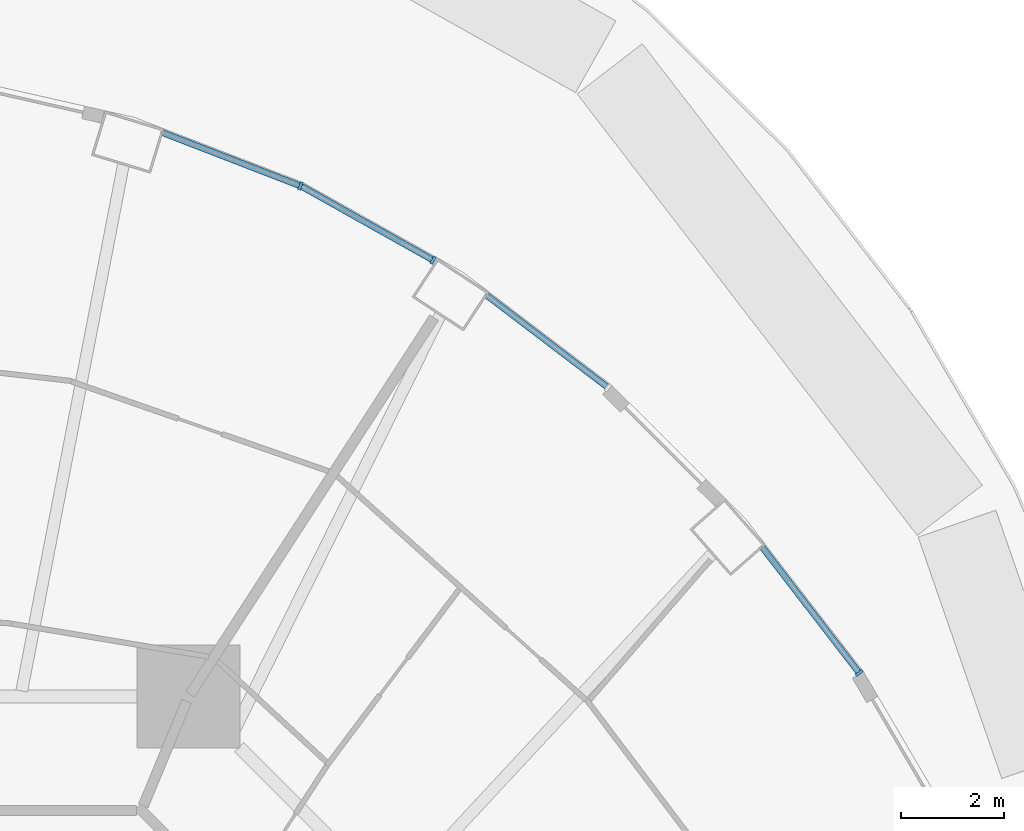
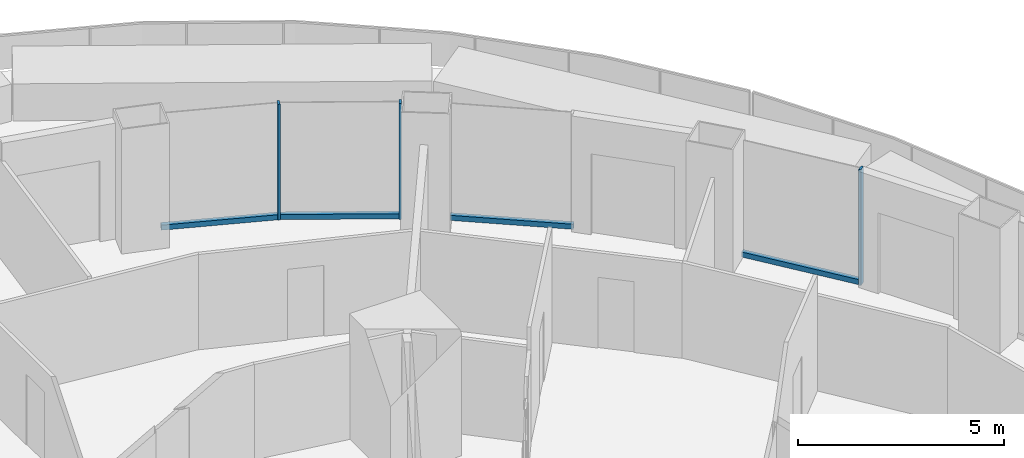
# One storey, part 9 of 20: 7 members, 4 elements without a shape of their own.
"""IFC4 building model written with IfcOpenShell, lengths in metres."""

from ifc_helpers import new_model, si_unit, direction, frame, origin, origin_2d, place, context, subcontext, project, spatial, rectangle, extrude, material, layer, layer_set, material_profile, profile_set, type_object, element, aggregate, save


model = new_model("IFC4")

# Units and contexts
model_context = context("Model", 3, precision=1e-05, world=origin(), true_north=direction((0.0, 1.0)))
body_context = subcontext(model_context, "Body", "Model", "MODEL_VIEW")
ifc_project = project(units=[si_unit("LENGTHUNIT", "METRE"), si_unit("AREAUNIT", "SQUARE_METRE"), si_unit("VOLUMEUNIT", "CUBIC_METRE"), si_unit("PLANEANGLEUNIT", "RADIAN"), si_unit("MASSUNIT", "GRAM", prefix="KILO")], contexts=[model_context])

# Site, building, storey
site_placement = place(None, origin())
site = spatial("IfcSite", under=ifc_project, at=site_placement, CompositionType="ELEMENT")
building_placement = place(site_placement, origin())
building = spatial("IfcBuilding", under=site, at=building_placement, Name="Nagisa Residences", CompositionType="ELEMENT")
storey_placement = place(building_placement, frame((0.0, 0.0, 119.60009765625)))
storey = spatial("IfcBuildingStorey", under=building, at=storey_placement, Name="L29", CompositionType="ELEMENT", Elevation=119.60009765625)

# Curtain wall, member
ifc_material_1 = material(Name="Concrete-coloured aluminium curtain wall system", Category="concrete")
ifc_layer = layer(ifc_material_1, 0.159912109375)
ifc_layer_set = layer_set([ifc_layer], Name="CW1 CURTAIN WALL")
curtain_wall_type = type_object("IfcCurtainWallType", Name="CW1 CURTAIN WALL", PredefinedType="NOTDEFINED", material=ifc_layer_set)
curtain_wall_1_placement = place(storey_placement, origin())
curtain_wall_1 = element("IfcCurtainWall", 1, at=curtain_wall_1_placement, inside=storey, type_object=curtain_wall_type, Name="cw:CW1:L29:05", PredefinedType="NOTDEFINED")
ifc_material_2 = material(Name="Concrete-coloured aluminium", Category="concrete")
ifc_material_profile_1 = material_profile(ifc_material_2, rectangle(XDim=0.159912109375, YDim=0.06005859375, at=origin_2d()), Name="CW1 MULLION 160x60")
ifc_profile_set_1 = profile_set([ifc_material_profile_1], Name="Concrete-coloured aluminium")
member_type_1 = type_object("IfcMemberType", Name="CW1 MULLION 160x60", PredefinedType="MULLION", material=ifc_profile_set_1)
member_1_placement = place(storey_placement, frame((19.169921875, 15.23876953125, 0.0), z_axis=(0.0, 0.0, 1.0), x_axis=(-0.792070340816, -0.610429828235, 0.0)))
member_1 = element("IfcMember", 2, at=member_1_placement, type_object=member_type_1, Name="CW1 mullion", PredefinedType="MULLION", context=body_context, shape_type="SweptSolid", body=[
    extrude(rectangle(XDim=0.159912109375, YDim=0.06005859375, at=origin_2d()), origin(), (0.0, 0.0, 1.0), 3.43994140625),
])

curtain_wall_2_placement = place(storey_placement, origin())
curtain_wall_2 = element("IfcCurtainWall", 3, at=curtain_wall_2_placement, inside=storey, type_object=curtain_wall_type, Name="cw:CW1:L29:08", PredefinedType="NOTDEFINED")
member_2_placement = place(storey_placement, frame((10.87890625, 23.2705078125, 0.0), z_axis=(0.0, 0.0, 1.0), x_axis=(-0.489376918501, -0.872072377523, 0.0)))
member_2 = element("IfcMember", 4, at=member_2_placement, type_object=member_type_1, Name="CW1 mullion", PredefinedType="MULLION", context=body_context, shape_type="SweptSolid", body=[
    extrude(rectangle(XDim=0.159912109375, YDim=0.06005859375, at=origin_2d()), origin(), (0.0, 0.0, 1.0), 3.43994140625),
])

curtain_wall_3_placement = place(storey_placement, origin())
curtain_wall_3 = element("IfcCurtainWall", 5, at=curtain_wall_3_placement, inside=storey, type_object=curtain_wall_type, Name="cw:CW1:L29:09", PredefinedType="NOTDEFINED")
member_3_placement = place(storey_placement, frame((8.297607421875, 24.715087890625, 0.0), z_axis=(0.0, 0.0, 1.0), x_axis=(-0.360327770268, -0.932825759707, 0.0)))
member_3 = element("IfcMember", 6, at=member_3_placement, type_object=member_type_1, Name="CW1 mullion", PredefinedType="MULLION", context=body_context, shape_type="SweptSolid", body=[
    extrude(rectangle(XDim=0.159912109375, YDim=0.06005859375, at=origin_2d()), origin(), (0.0, 0.0, 1.0), 3.43994140625),
])

# Member
ifc_material_3 = material(Name="Concrete-coloured aluminium", Category="concrete")
ifc_material_profile_2 = material_profile(ifc_material_3, rectangle(XDim=0.1201171875, YDim=0.14990234375, at=origin_2d()), Name="CW1 TRANSOM 120x150")
ifc_profile_set_2 = profile_set([ifc_material_profile_2], Name="Concrete-coloured aluminium")
member_type_2 = type_object("IfcMemberType", Name="CW1 TRANSOM 120x150", PredefinedType="USERDEFINED", material=ifc_profile_set_2)
member_4_placement = place(storey_placement, frame((19.188232421875, 15.215087890625, 0.074951171875), z_axis=(-0.610467332273, 0.792041435928, 0.0), x_axis=(-0.792041435928, -0.610467332273, 0.0)))
member_4 = element("IfcMember", 7, at=member_4_placement, type_object=member_type_2, Name="CW1 transom", ObjectType="TRANSOM", PredefinedType="USERDEFINED", context=body_context, shape_type="SweptSolid", body=[
    extrude(rectangle(XDim=0.1201171875, YDim=0.14990234375, at=origin_2d()), origin(), (0.0, 0.0, 1.0), 3.14892578125),
])

aggregate(curtain_wall_1, [member_1, member_4])

# Curtain wall, member
curtain_wall_4_placement = place(storey_placement, origin())
curtain_wall_4 = element("IfcCurtainWall", 8, at=curtain_wall_4_placement, inside=storey, type_object=curtain_wall_type, Name="cw:CW1:L29:07", PredefinedType="NOTDEFINED")
member_5_placement = place(storey_placement, frame((14.30517578125, 20.77392578125, 0.074951171875), z_axis=(-0.796022231079, 0.605267385233, 0.0), x_axis=(-0.605267385233, -0.796022231079, 0.0)))
member_5 = element("IfcMember", 9, at=member_5_placement, type_object=member_type_2, Name="CW1 transom", ObjectType="TRANSOM", PredefinedType="USERDEFINED", context=body_context, shape_type="SweptSolid", body=[
    extrude(rectangle(XDim=0.1201171875, YDim=0.14990234375, at=origin_2d()), origin(), (0.0, 0.0, 1.0), 3.025634765625),
])
aggregate(curtain_wall_4, [member_5])

# Member
member_6_placement = place(storey_placement, frame((10.905029296875, 23.255859375, 0.074951171875), z_axis=(-0.872082282638, 0.489359267112, 0.0), x_axis=(-0.489359267112, -0.872082282638, 0.0)))
member_6 = element("IfcMember", 10, at=member_6_placement, type_object=member_type_2, Name="CW1 transom", ObjectType="TRANSOM", PredefinedType="USERDEFINED", context=body_context, shape_type="SweptSolid", body=[
    extrude(rectangle(XDim=0.1201171875, YDim=0.14990234375, at=origin_2d()), origin(), (0.0, 0.0, 1.0), 2.969482421875),
])

aggregate(curtain_wall_2, [member_2, member_6])

member_7_placement = place(storey_placement, frame((8.32568359375, 24.704345703125, 0.074951171875), z_axis=(-0.932845344347, 0.360277064952, 0.0), x_axis=(-0.360277064952, -0.932845344347, 0.0)))
member_7 = element("IfcMember", 11, at=member_7_placement, type_object=member_type_2, Name="CW1 transom", ObjectType="TRANSOM", PredefinedType="USERDEFINED", context=body_context, shape_type="SweptSolid", body=[
    extrude(rectangle(XDim=0.1201171875, YDim=0.14990234375, at=origin_2d()), origin(), (0.0, 0.0, 1.0), 2.92333984375),
])

aggregate(curtain_wall_3, [member_3, member_7])

save(model, "model.ifc")
